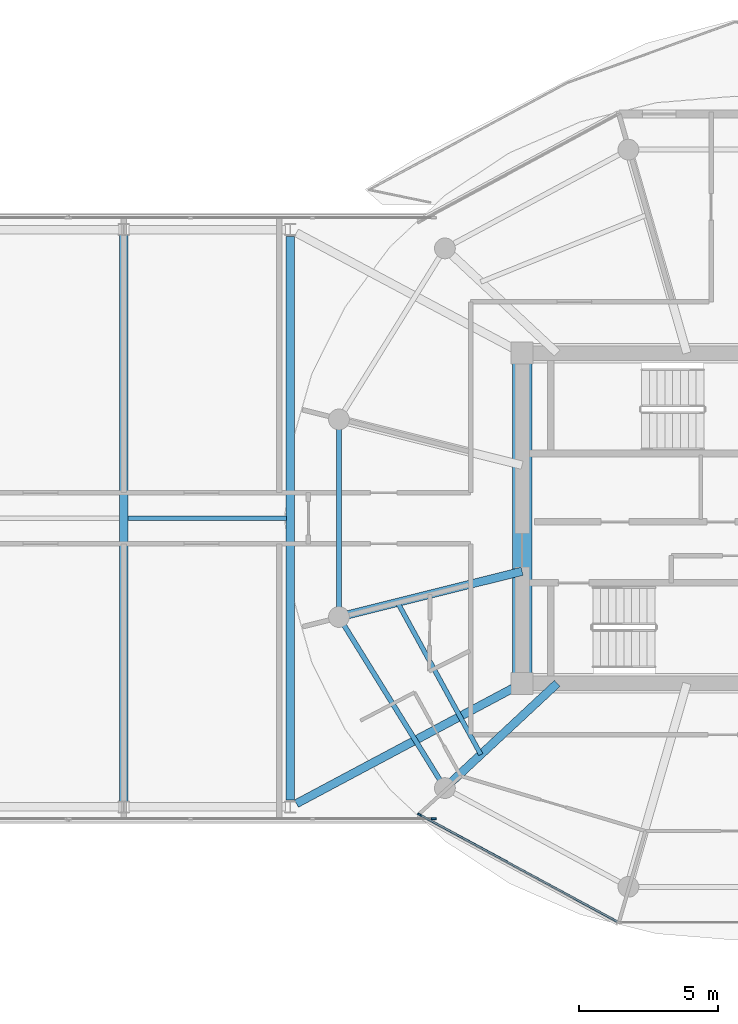
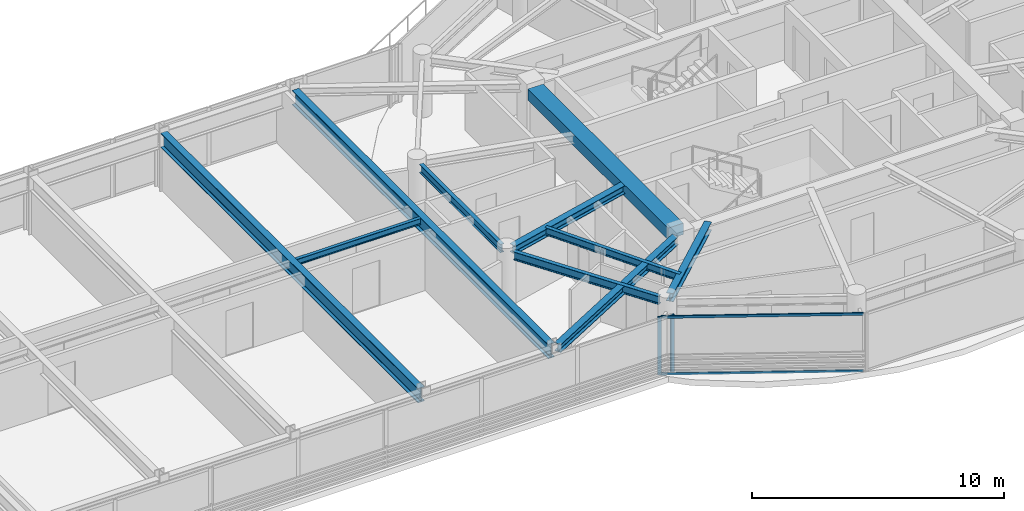
# One storey, part 7 of 23: 10 beams, 4 members, 2 elements without a shape of their own.
"""IFC4 building model written with IfcOpenShell, lengths in metres."""

from ifc_helpers import new_model, si_unit, direction, frame, origin, origin_2d, place, context, subcontext, project, spatial, rectangle, i_section, extrude, source, transform, mapped, material, layer, layer_set, material_profile, profile_set, type_object, type_shapes, element, aggregate, save


model = new_model("IFC4")

# Units and contexts
model_context = context("Model", 3, precision=1e-05, world=origin(), true_north=direction((0.0, 1.0)))
body_context = subcontext(model_context, "Body", "Model", "MODEL_VIEW")
ifc_project = project(units=[si_unit("LENGTHUNIT", "METRE"), si_unit("AREAUNIT", "SQUARE_METRE"), si_unit("VOLUMEUNIT", "CUBIC_METRE"), si_unit("PLANEANGLEUNIT", "RADIAN"), si_unit("MASSUNIT", "GRAM", prefix="KILO")], contexts=[model_context])

# Site, building, storey
site_placement = place(None, origin())
site = spatial("IfcSite", under=ifc_project, at=site_placement, CompositionType="ELEMENT")
building_placement = place(site_placement, origin())
building = spatial("IfcBuilding", under=site, at=building_placement, Name="Norrkilde Senior Care Towers", CompositionType="ELEMENT")
storey_placement = place(building_placement, frame((0.0, 0.0, 229.14990234375)))
storey = spatial("IfcBuildingStorey", under=building, at=storey_placement, Name="L71", CompositionType="ELEMENT", Elevation=229.14990234375)

# Beams
ifc_material_1 = material(Name="Concrete C60/75", Category="concrete")
ifc_material_profile_1 = material_profile(ifc_material_1, rectangle(XDim=0.699951171875, YDim=0.550048828125, at=origin_2d()), Name="RC BM 700x550")
ifc_profile_set_1 = profile_set([ifc_material_profile_1], Name="Concrete C60/75")
beam_type_1 = type_object("IfcBeamType", Name="Core Portal Coupling Beam 700x550", PredefinedType="USERDEFINED", material=ifc_profile_set_1)
shared_shape_1 = source(origin(), body_context, "Body", "SweptSolid", [
    extrude(rectangle(XDim=0.699951171875, YDim=0.550048828125, at=origin_2d()), origin(), (0.0, 0.0, 1.0), 11.14013671875),
])
type_shapes(beam_type_1, [shared_shape_1])
beam_1_placement = place(storey_placement, frame((20.35009765625, -5.570068359375, 2.53515625), z_axis=(0.0, 1.0, 0.0), x_axis=(-1.0, 0.0, 0.0)))
element("IfcBeam", 1, at=beam_1_placement, inside=storey, type_object=beam_type_1, Name="L71 Core E W Coupling Girder", ObjectType="GIRDER", PredefinedType="USERDEFINED", context=body_context, shape_type="MappedRepresentation", body=[
    mapped(shared_shape_1, transform((0.0, 0.0, 0.0), x_axis=(1.0, 0.0, 0.0), y_axis=(0.0, 1.0, 0.0), z_axis=(0.0, 0.0, 1.0), scale=1.0)),
])
ifc_material_2 = material(Name="Steel S355", Category="steel")
ifc_material_profile_2 = material_profile(ifc_material_2, i_section(OverallWidth=0.179931640625, OverallDepth=0.39990234375, WebThickness=0.008544921875, FlangeThickness=0.013427734375, FilletRadius=0.02099609375, at=origin_2d()), Name="IPE 400")
ifc_profile_set_2 = profile_set([ifc_material_profile_2], Name="Steel S355")
beam_type_2 = type_object("IfcBeamType", Name="Perimeter Ring Spandrel Z4 IPE400", PredefinedType="SPANDREL", material=ifc_profile_set_2)
shared_shape_2 = source(origin(), body_context, "Body", "SweptSolid", [
    extrude(i_section(OverallWidth=0.179931640625, OverallDepth=0.39990234375, WebThickness=0.008544921875, FlangeThickness=0.013427734375, FilletRadius=0.02099609375, at=origin_2d()), origin(), (0.0, 0.0, 1.0), 6.58056640625),
])
beam_2_placement = place(storey_placement, frame((13.928955078125, -3.843505859375, 2.610107421875), z_axis=(0.526529583789, -0.850156807533, 0.0), x_axis=(0.850156807533, 0.526529583789, 0.0)))
element("IfcBeam", 2, at=beam_2_placement, inside=storey, type_object=beam_type_2, Name="L71 Drum E Perimeter Spandrel 07", PredefinedType="SPANDREL", context=body_context, shape_type="MappedRepresentation", body=[
    mapped(shared_shape_2, transform((0.0, 0.0, 0.0), x_axis=(1.0, 0.0, 0.0), y_axis=(0.0, 1.0, 0.0), z_axis=(0.0, 0.0, 1.0), scale=1.0)),
])
ifc_material_profile_3 = material_profile(ifc_material_2, i_section(OverallWidth=0.300048828125, OverallDepth=0.39990234375, WebThickness=0.013427734375, FlangeThickness=0.02392578125, FilletRadius=0.027099609375, at=origin_2d()), Name="HEB 400")
ifc_profile_set_3 = profile_set([ifc_material_profile_3], Name="Steel S355")
beam_type_3 = type_object("IfcBeamType", Name="Radial Floor Beam Z4 HEB400", PredefinedType="BEAM", material=ifc_profile_set_3)
shared_shape_3 = source(origin(), body_context, "Body", "SweptSolid", [
    extrude(i_section(OverallWidth=0.300048828125, OverallDepth=0.39990234375, WebThickness=0.013427734375, FlangeThickness=0.02392578125, FilletRadius=0.027099609375, at=origin_2d()), origin(), (0.0, 0.0, 1.0), 6.465087890625),
])
beam_3_placement = place(storey_placement, frame((20.35009765625, -1.910888671875, 2.610107421875), z_axis=(-0.970195788563, -0.242322371758, 0.0), x_axis=(0.242322371758, -0.970195788563, 0.0)))
element("IfcBeam", 3, at=beam_3_placement, inside=storey, type_object=beam_type_3, Name="L71 Drum E Radial Floor Beam 07", PredefinedType="BEAM", context=body_context, shape_type="MappedRepresentation", body=[
    mapped(shared_shape_3, transform((0.0, 0.0, 0.0), x_axis=(1.0, 0.0, 0.0), y_axis=(0.0, 1.0, 0.0), z_axis=(0.0, 0.0, 1.0), scale=1.0)),
])
shared_shape_4 = source(origin(), body_context, "Body", "SweptSolid", [
    extrude(i_section(OverallWidth=0.300048828125, OverallDepth=0.39990234375, WebThickness=0.013427734375, FlangeThickness=0.02392578125, FilletRadius=0.027099609375, at=origin_2d()), origin(), (0.0, 0.0, 1.0), 5.197998046875),
])
beam_4_placement = place(storey_placement, frame((21.6171875, -5.949951171875, 2.610107421875), z_axis=(-0.731448749334, -0.681896419625, 0.0), x_axis=(0.681896419625, -0.731448749334, 0.0)))
element("IfcBeam", 4, at=beam_4_placement, inside=storey, type_object=beam_type_3, Name="L71 Drum E Radial Floor Beam 08", PredefinedType="BEAM", context=body_context, shape_type="MappedRepresentation", body=[
    mapped(shared_shape_4, transform((0.0, 0.0, 0.0), x_axis=(1.0, 0.0, 0.0), y_axis=(0.0, 1.0, 0.0), z_axis=(0.0, 0.0, 1.0), scale=1.0)),
])
shared_shape_5 = source(origin(), body_context, "Body", "SweptSolid", [
    extrude(i_section(OverallWidth=0.179931640625, OverallDepth=0.39990234375, WebThickness=0.008544921875, FlangeThickness=0.013427734375, FilletRadius=0.02099609375, at=origin_2d()), origin(), (0.0, 0.0, 1.0), 6.44775390625),
])
type_shapes(beam_type_2, [shared_shape_2, shared_shape_5])
beam_5_placement = place(storey_placement, frame((13.752685546875, 3.223876953125, 2.610107421875), z_axis=(0.0, -1.0, 0.0), x_axis=(1.0, 0.0, 0.0)))
element("IfcBeam", 5, at=beam_5_placement, inside=storey, type_object=beam_type_2, Name="L71 Drum E Perimeter Spandrel 06", PredefinedType="SPANDREL", context=body_context, shape_type="MappedRepresentation", body=[
    mapped(shared_shape_5, transform((0.0, 0.0, 0.0), x_axis=(1.0, 0.0, 0.0), y_axis=(0.0, 1.0, 0.0), z_axis=(0.0, 0.0, 1.0), scale=1.0)),
])
ifc_material_profile_4 = material_profile(ifc_material_2, i_section(OverallWidth=0.169921875, OverallDepth=0.360107421875, WebThickness=0.008056640625, FlangeThickness=0.0126953125, FilletRadius=0.01806640625, at=origin_2d()), Name="IPE 360")
ifc_profile_set_4 = profile_set([ifc_material_profile_4], Name="Steel S355")
beam_type_4 = type_object("IfcBeamType", Name="Secondary Floor Joist IPE360", PredefinedType="JOIST", material=ifc_profile_set_4)
shared_shape_6 = source(origin(), body_context, "Body", "SweptSolid", [
    extrude(i_section(OverallWidth=0.169921875, OverallDepth=0.360107421875, WebThickness=0.008056640625, FlangeThickness=0.0126953125, FilletRadius=0.01806640625, at=origin_2d()), origin(), (0.0, 0.0, 1.0), 6.25146484375),
])
type_shapes(beam_type_4, [shared_shape_6])
beam_6_placement = place(storey_placement, frame((15.86376953125, -3.031494140625, 2.630126953125), z_axis=(0.480115752653, -0.877205143655, 0.0), x_axis=(0.877205143655, 0.480115752653, 0.0)))
element("IfcBeam", 6, at=beam_6_placement, inside=storey, type_object=beam_type_4, Name="L71 Drum E Secondary Floor Joist 3", PredefinedType="JOIST", context=body_context, shape_type="MappedRepresentation", body=[
    mapped(shared_shape_6, transform((0.0, 0.0, 0.0), x_axis=(1.0, 0.0, 0.0), y_axis=(0.0, 1.0, 0.0), z_axis=(0.0, 0.0, 1.0), scale=1.0)),
])
ifc_material_profile_5 = material_profile(ifc_material_2, i_section(OverallWidth=0.300048828125, OverallDepth=0.699951171875, WebThickness=0.01708984375, FlangeThickness=0.031982421875, FilletRadius=0.027099609375, at=origin_2d()), Name="HEB 700")
ifc_profile_set_5 = profile_set([ifc_material_profile_5], Name="Steel S355")
beam_type_5 = type_object("IfcBeamType", Name="Bridge Cross Girder HEB700", PredefinedType="USERDEFINED", material=ifc_profile_set_5)
shared_shape_7 = source(origin(), body_context, "Body", "SweptSolid", [
    extrude(i_section(OverallWidth=0.300048828125, OverallDepth=0.699951171875, WebThickness=0.01708984375, FlangeThickness=0.031982421875, FilletRadius=0.027099609375, at=origin_2d()), origin(), (0.0, 0.0, 1.0), 20.31982421875),
])
beam_7_placement = place(storey_placement, frame((12.0, -10.159912109375, 2.460205078125), z_axis=(0.0, 1.0, 0.0), x_axis=(-1.0, 0.0, 0.0)))
element("IfcBeam", 7, at=beam_7_placement, inside=storey, type_object=beam_type_5, Name="L71 Sky-Gate Bridge Cross Girder +12", ObjectType="GIRDER", PredefinedType="USERDEFINED", context=body_context, shape_type="MappedRepresentation", body=[
    mapped(shared_shape_7, transform((0.0, 0.0, 0.0), x_axis=(1.0, 0.0, 0.0), y_axis=(0.0, 1.0, 0.0), z_axis=(0.0, 0.0, 1.0), scale=1.0)),
])
shared_shape_8 = source(origin(), body_context, "Body", "SweptSolid", [
    extrude(i_section(OverallWidth=0.300048828125, OverallDepth=0.699951171875, WebThickness=0.01708984375, FlangeThickness=0.031982421875, FilletRadius=0.027099609375, at=origin_2d()), origin(), (0.0, 0.0, 1.0), 20.43994140625),
])
type_shapes(beam_type_5, [shared_shape_7, shared_shape_8])
beam_8_placement = place(storey_placement, frame((6.0, -10.219970703125, 2.460205078125), z_axis=(0.0, 1.0, 0.0), x_axis=(-1.0, 0.0, 0.0)))
element("IfcBeam", 8, at=beam_8_placement, inside=storey, type_object=beam_type_5, Name="L71 Sky-Gate Bridge Cross Girder +6", ObjectType="GIRDER", PredefinedType="USERDEFINED", context=body_context, shape_type="MappedRepresentation", body=[
    mapped(shared_shape_8, transform((0.0, 0.0, 0.0), x_axis=(1.0, 0.0, 0.0), y_axis=(0.0, 1.0, 0.0), z_axis=(0.0, 0.0, 1.0), scale=1.0)),
])
shared_shape_9 = source(origin(), body_context, "Body", "SweptSolid", [
    extrude(i_section(OverallWidth=0.300048828125, OverallDepth=0.39990234375, WebThickness=0.013427734375, FlangeThickness=0.02392578125, FilletRadius=0.027099609375, at=origin_2d()), origin(), (0.0, 0.0, 1.0), 8.831787109375),
])
type_shapes(beam_type_3, [shared_shape_3, shared_shape_4, shared_shape_9])
beam_9_placement = place(storey_placement, frame((12.220703125, -10.282470703125, 2.610107421875), z_axis=(0.882492172381, 0.470327083727, 0.0), x_axis=(-0.470327083727, 0.882492172381, 0.0)))
element("IfcBeam", 9, at=beam_9_placement, inside=storey, type_object=beam_type_3, Name="L71 Sky-Gate Bridge Girder S6", PredefinedType="BEAM", context=body_context, shape_type="MappedRepresentation", body=[
    mapped(shared_shape_9, transform((0.0, 0.0, 0.0), x_axis=(1.0, 0.0, 0.0), y_axis=(0.0, 1.0, 0.0), z_axis=(0.0, 0.0, 1.0), scale=1.0)),
])
ifc_material_profile_6 = material_profile(ifc_material_2, i_section(OverallWidth=0.14990234375, OverallDepth=0.300048828125, WebThickness=0.007080078125, FlangeThickness=0.0107421875, FilletRadius=0.014892578125, at=origin_2d()), Name="IPE 300")
ifc_profile_set_6 = profile_set([ifc_material_profile_6], Name="Steel S355")
beam_type_6 = type_object("IfcBeamType", Name="Bridge Deck Joist IPE300", PredefinedType="JOIST", material=ifc_profile_set_6)
shared_shape_10 = source(origin(), body_context, "Body", "SweptSolid", [
    extrude(i_section(OverallWidth=0.14990234375, OverallDepth=0.300048828125, WebThickness=0.007080078125, FlangeThickness=0.0107421875, FilletRadius=0.014892578125, at=origin_2d()), origin(), (0.0, 0.0, 1.0), 5.7099609375),
])
type_shapes(beam_type_6, [shared_shape_10])
beam_10_placement = place(storey_placement, frame((6.14501953125, 0.0, 2.66015625), z_axis=(1.0, 0.0, 0.0), x_axis=(0.0, 1.0, 0.0)))
element("IfcBeam", 10, at=beam_10_placement, inside=storey, type_object=beam_type_6, Name="L71 Bridge Deck Joist 4", PredefinedType="JOIST", context=body_context, shape_type="MappedRepresentation", body=[
    mapped(shared_shape_10, transform((0.0, 0.0, 0.0), x_axis=(1.0, 0.0, 0.0), y_axis=(0.0, 1.0, 0.0), z_axis=(0.0, 0.0, 1.0), scale=1.0)),
])

# Curtain wall, members
ifc_material_3 = material(Name="Triple Low-E Insulated Glazing", Category="glass")
ifc_layer_1 = layer(ifc_material_3, 0.18505859375)
ifc_layer_set_1 = layer_set([ifc_layer_1], Name="Triple Low-E Insulated Glazing")
curtain_wall_type_1 = type_object("IfcCurtainWallType", Name="CW6 Zone 4 Crown Pavilion Curtain Wall", PredefinedType="NOTDEFINED", material=ifc_layer_set_1)
curtain_wall_1_placement = place(storey_placement, origin())
curtain_wall_1 = element("IfcCurtainWall", 11, at=curtain_wall_1_placement, inside=storey, type_object=curtain_wall_type_1, Name="L71 Drum E Curtain Wall 07", PredefinedType="NOTDEFINED")
ifc_material_4 = material(Name="Anodised Aluminium", Category="aluminium")
ifc_material_profile_7 = material_profile(ifc_material_4, rectangle(XDim=0.06494140625, YDim=0.14990234375, at=origin_2d()), Name="ALU MULL 65x150")
ifc_profile_set_7 = profile_set([ifc_material_profile_7], Name="Anodised Aluminium")
member_type_1 = type_object("IfcMemberType", Name="Curtain Wall Mullion Z3-Z4 65x150", PredefinedType="MULLION", material=ifc_profile_set_7)
shared_shape_11 = source(origin(), body_context, "Body", "SweptSolid", [
    extrude(rectangle(XDim=0.06494140625, YDim=0.14990234375, at=origin_2d()), origin(), (0.0, 0.0, 1.0), 2.81005859375),
])
type_shapes(member_type_1, [shared_shape_11])
member_1_placement = place(storey_placement, frame((16.658203125, -10.6787109375, 0.0), z_axis=(0.0, 0.0, 1.0), x_axis=(-0.476132676136, -0.879373455772, 0.0)))
member_1 = element("IfcMember", 12, at=member_1_placement, type_object=member_type_1, Name="CW-6 mullion 2", PredefinedType="MULLION", context=body_context, shape_type="MappedRepresentation", body=[
    mapped(shared_shape_11, transform((0.0, 0.0, 0.0), x_axis=(1.0, 0.0, 0.0), y_axis=(0.0, 1.0, 0.0), z_axis=(0.0, 0.0, 1.0), scale=1.0)),
])
ifc_material_profile_8 = material_profile(ifc_material_4, rectangle(XDim=0.06005859375, YDim=0.1201171875, at=origin_2d()), Name="ALU TRAN 60x120")
ifc_profile_set_8 = profile_set([ifc_material_profile_8], Name="Anodised Aluminium")
member_type_2 = type_object("IfcMemberType", Name="Curtain Wall Transom Typical 60x120", PredefinedType="USERDEFINED", material=ifc_profile_set_8)
shared_shape_12 = source(origin(), body_context, "Body", "SweptSolid", [
    extrude(rectangle(XDim=0.06005859375, YDim=0.1201171875, at=origin_2d()), origin(), (0.0, 0.0, 1.0), 8.0673828125),
])
type_shapes(member_type_2, [shared_shape_12])
member_2_placement = place(storey_placement, frame((23.781005859375, -14.53515625, 0.030029296875), z_axis=(-0.87937750072, 0.476125205411, 0.0), x_axis=(-0.476125205411, -0.87937750072, 0.0)))
member_2 = element("IfcMember", 13, at=member_2_placement, type_object=member_type_2, Name="CW-6 transom 1.1", ObjectType="TRANSOM", PredefinedType="USERDEFINED", context=body_context, shape_type="MappedRepresentation", body=[
    mapped(shared_shape_12, transform((0.0, 0.0, 0.0), x_axis=(1.0, 0.0, 0.0), y_axis=(0.0, 1.0, 0.0), z_axis=(0.0, 0.0, 1.0), scale=1.0)),
])
member_3_placement = place(storey_placement, frame((23.781005859375, -14.53515625, 2.780029296875), z_axis=(-0.87937750072, 0.476125205411, 0.0), x_axis=(-0.476125205411, -0.87937750072, 0.0)))
member_3 = element("IfcMember", 14, at=member_3_placement, type_object=member_type_2, Name="CW-6 transom 1.2", ObjectType="TRANSOM", PredefinedType="USERDEFINED", context=body_context, shape_type="MappedRepresentation", body=[
    mapped(shared_shape_12, transform((0.0, 0.0, 0.0), x_axis=(1.0, 0.0, 0.0), y_axis=(0.0, 1.0, 0.0), z_axis=(0.0, 0.0, 1.0), scale=1.0)),
])
aggregate(curtain_wall_1, [member_1, member_2, member_3])

# Curtain wall, member
ifc_layer_2 = layer(ifc_material_3, 0.2099609375)
ifc_layer_set_2 = layer_set([ifc_layer_2], Name="Triple Low-E Insulated Glazing")
curtain_wall_type_2 = type_object("IfcCurtainWallType", Name="CW5 Sky-Gate Bridge Curtain Wall", PredefinedType="NOTDEFINED", material=ifc_layer_set_2)
curtain_wall_2_placement = place(storey_placement, origin())
curtain_wall_2 = element("IfcCurtainWall", 15, at=curtain_wall_2_placement, inside=storey, type_object=curtain_wall_type_2, Name="L71 Sky-Gate Bridge South Curtain Wall 1", PredefinedType="NOTDEFINED")
ifc_material_profile_9 = material_profile(ifc_material_4, rectangle(XDim=0.070068359375, YDim=0.169921875, at=origin_2d()), Name="ALU MULL 70x170")
ifc_profile_set_9 = profile_set([ifc_material_profile_9], Name="Anodised Aluminium")
member_type_3 = type_object("IfcMemberType", Name="Curtain Wall Mullion Heavy 70x170", PredefinedType="MULLION", material=ifc_profile_set_9)
shared_shape_13 = source(origin(), body_context, "Body", "SweptSolid", [
    extrude(rectangle(XDim=0.070068359375, YDim=0.169921875, at=origin_2d()), origin(), (0.0, 0.0, 1.0), 2.81005859375),
])
type_shapes(member_type_3, [shared_shape_13])
member_4_placement = place(storey_placement, frame((17.1650390625, -10.820068359375, 0.0), z_axis=(0.0, 0.0, 1.0), x_axis=(0.0, -1.0, 0.0)))
member_4 = element("IfcMember", 16, at=member_4_placement, type_object=member_type_3, Name="CW-5 mullion 1", PredefinedType="MULLION", context=body_context, shape_type="MappedRepresentation", body=[
    mapped(shared_shape_13, transform((0.0, 0.0, 0.0), x_axis=(1.0, 0.0, 0.0), y_axis=(0.0, 1.0, 0.0), z_axis=(0.0, 0.0, 1.0), scale=1.0)),
])
aggregate(curtain_wall_2, [member_4])

save(model, "model.ifc")
